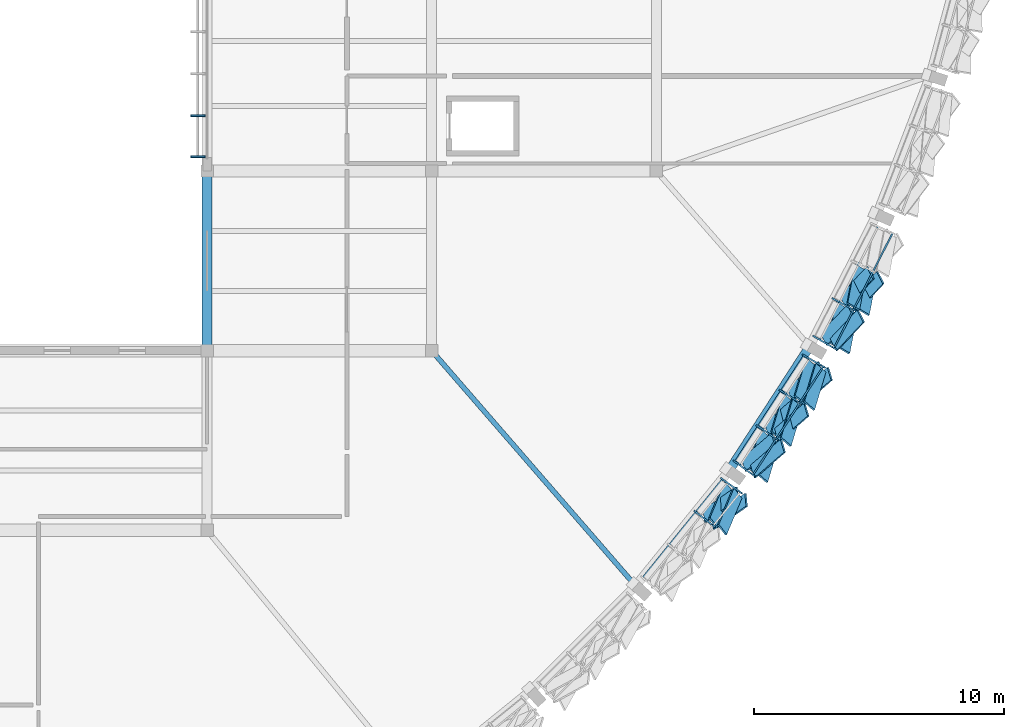
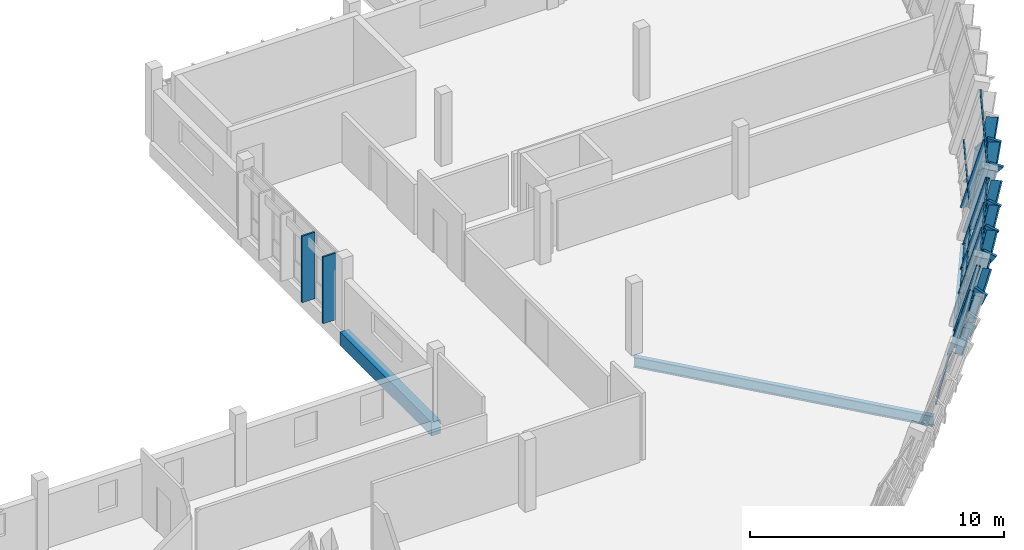
# One storey, part 10 of 24: 40 members, 3 beams, 4 elements without a shape of their own.
"""IFC4 building model written with IfcOpenShell, lengths in metres."""

from ifc_helpers import new_model, si_unit, direction, frame, origin, origin_2d, place, context, subcontext, project, spatial, rectangle, hollow_rectangle, i_section, extrude, material, material_profile, profile_set, type_object, element, aggregate, save


model = new_model("IFC4")

# Units and contexts
model_context = context("Model", 3, precision=1e-05, world=origin(), true_north=direction((0.0, 1.0)))
body_context = subcontext(model_context, "Body", "Model", "MODEL_VIEW")
ifc_project = project(units=[si_unit("LENGTHUNIT", "METRE"), si_unit("AREAUNIT", "SQUARE_METRE"), si_unit("VOLUMEUNIT", "CUBIC_METRE"), si_unit("PLANEANGLEUNIT", "RADIAN"), si_unit("MASSUNIT", "GRAM", prefix="KILO")], contexts=[model_context])

# Site, building, storey
site_placement = place(None, origin())
site = spatial("IfcSite", under=ifc_project, at=site_placement, CompositionType="ELEMENT")
building_placement = place(site_placement, origin())
building = spatial("IfcBuilding", under=site, at=building_placement, Name="Chiffa Square Polytechnic", CompositionType="ELEMENT")
storey_placement = place(building_placement, frame((0.0, 0.0, 26.39990234375)))
storey = spatial("IfcBuildingStorey", under=building, at=storey_placement, Name="L06", CompositionType="ELEMENT", Elevation=26.39990234375)

# Beams
ifc_material_1 = material(Name="Concrete C35/45", Category="concrete")
ifc_material_profile_1 = material_profile(ifc_material_1, rectangle(XDim=0.39990234375, YDim=0.64990234375, at=origin_2d()), Name="RC 400x650")
ifc_profile_set_1 = profile_set([ifc_material_profile_1], Name="Concrete C35/45")
beam_type_1 = type_object("IfcBeamType", Name="BM-RC-400X650", PredefinedType="BEAM", material=ifc_profile_set_1)
beam_1_placement = place(storey_placement, frame((148.199951171875, 28.800048828125, -0.544921875), z_axis=(0.0, 1.0, 0.0), x_axis=(-1.0, 0.0, 0.0)))
element("IfcBeam", 1, at=beam_1_placement, inside=storey, type_object=beam_type_1, Name="Primary floor girder BM-V1-L06-Y-1482-0288", PredefinedType="BEAM", context=body_context, shape_type="SweptSolid", body=[
    extrude(rectangle(XDim=0.39990234375, YDim=0.64990234375, at=origin_2d()), origin(), (0.0, 0.0, 1.0), 7.199951171875),
])
ifc_material_2 = material(Name="Steel S355", Category="steel")
ifc_material_profile_2 = material_profile(ifc_material_2, i_section(OverallWidth=0.199951171875, OverallDepth=0.5, WebThickness=0.01025390625, FlangeThickness=0.01611328125, FilletRadius=0.02099609375, at=origin_2d()), Name="IPE 500")
ifc_profile_set_2 = profile_set([ifc_material_profile_2], Name="Steel S355")
beam_type_2 = type_object("IfcBeamType", Name="BM-STL-IPE500", PredefinedType="BEAM", material=ifc_profile_set_2)
beam_2_placement = place(storey_placement, frame((165.3759765625, 19.3740234375, -0.469970703125), z_axis=(-0.655241848523, 0.755419168372, 0.0), x_axis=(-0.755419168372, -0.655241848523, 0.0)))
element("IfcBeam", 2, at=beam_2_placement, inside=storey, type_object=beam_type_2, Name="Prow radial tie girder BM-V1-RAD-L06-11", PredefinedType="BEAM", context=body_context, shape_type="SweptSolid", body=[
    extrude(i_section(OverallWidth=0.199951171875, OverallDepth=0.5, WebThickness=0.01025390625, FlangeThickness=0.01611328125, FilletRadius=0.02099609375, at=origin_2d()), origin(), (0.0, 0.0, 1.0), 12.477783203125),
])

# Curtain wall, members
ifc_material_3 = material(Name="Aluminium EN AW-6060 T66 and glulam shading", Category="wood")
curtain_wall_type_1 = type_object("IfcCurtainWallType", Name="CW-PROW-LEAN-150", PredefinedType="USERDEFINED", material=ifc_material_3)
curtain_wall_1_placement = place(storey_placement, origin())
curtain_wall_1 = element("IfcCurtainWall", 3, at=curtain_wall_1_placement, inside=storey, type_object=curtain_wall_type_1, Name="Outward-leaning diamond-fin prow curtain wall CW-V1-L06-105", ObjectType="CURTAIN WALL", PredefinedType="USERDEFINED")
ifc_material_4 = material(Name="Aluminium EN AW-6060 T66", Category="aluminium")
ifc_material_profile_3 = material_profile(ifc_material_4, hollow_rectangle(XDim=0.06494140625, YDim=0.179931640625, WallThickness=0.00390625, at=origin_2d()), Name="ALU 65x180x4")
ifc_profile_set_3 = profile_set([ifc_material_profile_3], Name="Aluminium EN AW-6060 T66")
member_type_1 = type_object("IfcMemberType", Name="CWM-ALU-75X180", PredefinedType="MULLION", material=ifc_profile_set_3)
member_1_placement = place(storey_placement, frame((167.7783203125, 22.3408203125, 0.0), z_axis=(0.214320148408, -0.167554074429, 0.962285044116), x_axis=(0.615909842204, 0.787816645087, 0.0)))
member_1 = element("IfcMember", 4, at=member_1_placement, type_object=member_type_1, Name="Leaning prow mullion CW-V1-L06-105-M02", PredefinedType="MULLION", context=body_context, shape_type="SweptSolid", body=[
    extrude(hollow_rectangle(XDim=0.06494140625, YDim=0.179931640625, WallThickness=0.00390625, at=origin_2d()), origin(), (0.0, 0.0, 1.0), 3.341064453125),
])
member_2_placement = place(storey_placement, frame((168.843994140625, 23.656982421875, 0.0), z_axis=(0.220294191964, -0.160087752767, 0.962207036142), x_axis=(0.587868537894, 0.808956477293, 0.0)))
member_2 = element("IfcMember", 5, at=member_2_placement, type_object=member_type_1, Name="Leaning prow mullion CW-V1-L06-105-M03", PredefinedType="MULLION", context=body_context, shape_type="SweptSolid", body=[
    extrude(hollow_rectangle(XDim=0.06494140625, YDim=0.179931640625, WallThickness=0.00390625, at=origin_2d()), origin(), (0.0, 0.0, 1.0), 3.34130859375),
])

curtain_wall_type_2 = type_object("IfcCurtainWallType", Name="CW-PROW-LEAN-300", PredefinedType="USERDEFINED", material=ifc_material_3)
curtain_wall_2_placement = place(storey_placement, origin())
curtain_wall_2 = element("IfcCurtainWall", 6, at=curtain_wall_2_placement, inside=storey, type_object=curtain_wall_type_2, Name="Outward-leaning diamond-fin prow curtain wall CW-V1-L06-106", ObjectType="CURTAIN WALL", PredefinedType="USERDEFINED")
member_3_placement = place(storey_placement, frame((169.34912109375, 24.35205078125, 0.0), z_axis=(0.220222093491, -0.160161522539, 0.962211263828), x_axis=(0.588171697675, 0.808736084303, 0.0)))
member_3 = element("IfcMember", 7, at=member_3_placement, type_object=member_type_1, Name="Leaning prow mullion CW-V1-L06-106-M00", PredefinedType="MULLION", context=body_context, shape_type="SweptSolid", body=[
    extrude(hollow_rectangle(XDim=0.06494140625, YDim=0.179931640625, WallThickness=0.00390625, at=origin_2d()), origin(), (0.0, 0.0, 1.0), 3.34130859375),
])
member_4_placement = place(storey_placement, frame((170.271240234375, 25.77197265625, 0.0), z_axis=(0.225501498285, -0.152136785298, 0.962290742359), x_axis=(0.559279069224, 0.828979446505, 0.0)))
member_4 = element("IfcMember", 8, at=member_4_placement, type_object=member_type_1, Name="Leaning prow mullion CW-V1-L06-106-M01", PredefinedType="MULLION", context=body_context, shape_type="SweptSolid", body=[
    extrude(hollow_rectangle(XDim=0.06494140625, YDim=0.179931640625, WallThickness=0.00390625, at=origin_2d()), origin(), (0.0, 0.0, 1.0), 3.341064453125),
])
member_5_placement = place(storey_placement, frame((171.193603515625, 27.19189453125, 0.0), z_axis=(0.23068886555, -0.144171406947, 0.96228751043), x_axis=(0.529974794738, 0.848013394318, 0.0)))
member_5 = element("IfcMember", 9, at=member_5_placement, type_object=member_type_1, Name="Leaning prow mullion CW-V1-L06-106-M02", PredefinedType="MULLION", context=body_context, shape_type="SweptSolid", body=[
    extrude(hollow_rectangle(XDim=0.06494140625, YDim=0.179931640625, WallThickness=0.00390625, at=origin_2d()), origin(), (0.0, 0.0, 1.0), 3.341064453125),
])
member_6_placement = place(storey_placement, frame((172.115966796875, 28.612060546875, 0.0), z_axis=(0.235854888234, -0.136193776849, 0.962197342983), x_axis=(0.500063042646, 0.865989003036, 0.0)))
member_6 = element("IfcMember", 10, at=member_6_placement, type_object=member_type_1, Name="Leaning prow mullion CW-V1-L06-106-M03", PredefinedType="MULLION", context=body_context, shape_type="SweptSolid", body=[
    extrude(hollow_rectangle(XDim=0.06494140625, YDim=0.179931640625, WallThickness=0.00390625, at=origin_2d()), origin(), (0.0, 0.0, 1.0), 3.34130859375),
])

curtain_wall_3_placement = place(storey_placement, origin())
curtain_wall_3 = element("IfcCurtainWall", 11, at=curtain_wall_3_placement, inside=storey, type_object=curtain_wall_type_1, Name="Outward-leaning diamond-fin prow curtain wall CW-V1-L06-107", ObjectType="CURTAIN WALL", PredefinedType="USERDEFINED")
member_7_placement = place(storey_placement, frame((172.544921875, 29.35595703125, 0.0), z_axis=(0.235854888234, -0.136193776849, 0.962197342983), x_axis=(0.500063042646, 0.865989003036, 0.0)))
member_7 = element("IfcMember", 12, at=member_7_placement, type_object=member_type_1, Name="Leaning prow mullion CW-V1-L06-107-M00", PredefinedType="MULLION", context=body_context, shape_type="SweptSolid", body=[
    extrude(hollow_rectangle(XDim=0.06494140625, YDim=0.179931640625, WallThickness=0.00390625, at=origin_2d()), origin(), (0.0, 0.0, 1.0), 3.34130859375),
])
member_8_placement = place(storey_placement, frame((173.31396484375, 30.864990234375, 0.0), z_axis=(0.240119072909, -0.127732239636, 0.962303125726), x_axis=(0.469639707299, 0.882858168297, 0.0)))
member_8 = element("IfcMember", 13, at=member_8_placement, type_object=member_type_1, Name="Leaning prow mullion CW-V1-L06-107-M01", PredefinedType="MULLION", context=body_context, shape_type="SweptSolid", body=[
    extrude(hollow_rectangle(XDim=0.06494140625, YDim=0.179931640625, WallThickness=0.00390625, at=origin_2d()), origin(), (0.0, 0.0, 1.0), 3.341064453125),
])

# Member
ifc_material_5 = material(Name="Glulam GL28h", Category="wood")
ifc_material_profile_4 = material_profile(ifc_material_5, rectangle(XDim=0.080078125, YDim=0.580078125, at=origin_2d()), Name="GL28h 80x580")
ifc_profile_set_4 = profile_set([ifc_material_profile_4], Name="Glulam GL28h")
member_type_2 = type_object("IfcMemberType", Name="CWM-GL-80X580", PredefinedType="MULLION", material=ifc_profile_set_4)
member_9_placement = place(storey_placement, frame((168.136962890625, 22.169921875, 0.0400390625), z_axis=(0.584802373598, 0.407198963163, 0.701566239376), x_axis=(-0.807045699281, 0.204903769801, 0.553797512087)))
member_9 = element("IfcMember", 14, at=member_9_placement, type_object=member_type_2, Name="Diamond glulam fin CW-V1-L06-105-DF05A", PredefinedType="MULLION", context=body_context, shape_type="SweptSolid", body=[
    extrude(rectangle(XDim=0.080078125, YDim=0.580078125, at=origin_2d()), origin(), (0.0, 0.0, 1.0), 2.235107421875),
])

member_10_placement = place(storey_placement, frame((169.0859375, 23.342041015625, 0.0400390625), z_axis=(-0.270461141803, -0.652171893095, 0.708182598368), x_axis=(0.792143303808, 0.267302529444, 0.548687838378)))
member_10 = element("IfcMember", 15, at=member_10_placement, type_object=member_type_2, Name="Diamond glulam fin CW-V1-L06-105-DF05B", PredefinedType="MULLION", context=body_context, shape_type="SweptSolid", body=[
    extrude(rectangle(XDim=0.080078125, YDim=0.580078125, at=origin_2d()), origin(), (0.0, 0.0, 1.0), 2.21435546875),
])

member_11_placement = place(storey_placement, frame((168.487060546875, 21.89794921875, 1.608154296875), z_axis=(0.58642981997, 0.410500873979, 0.698275804187), x_axis=(-0.80545776048, 0.204363003011, 0.556303477505)))
member_11 = element("IfcMember", 16, at=member_11_placement, type_object=member_type_2, Name="Diamond glulam fin CW-V1-L06-105-DF06A", PredefinedType="MULLION", context=body_context, shape_type="SweptSolid", body=[
    extrude(rectangle(XDim=0.080078125, YDim=0.580078125, at=origin_2d()), origin(), (0.0, 0.0, 1.0), 2.243896484375),
])

member_12_placement = place(storey_placement, frame((169.444091796875, 23.080078125, 1.608154296875), z_axis=(-0.273231003445, -0.654348153003, 0.705105178975), x_axis=(0.791869646318, 0.263167905814, 0.551076325557)))
member_12 = element("IfcMember", 17, at=member_12_placement, type_object=member_type_2, Name="Diamond glulam fin CW-V1-L06-105-DF06B", PredefinedType="MULLION", context=body_context, shape_type="SweptSolid", body=[
    extrude(rectangle(XDim=0.080078125, YDim=0.580078125, at=origin_2d()), origin(), (0.0, 0.0, 1.0), 2.22216796875),
])

member_13_placement = place(storey_placement, frame((169.722900390625, 24.218994140625, 0.0400390625), z_axis=(0.536525799881, 0.458902667305, 0.708200824627), x_axis=(-0.8053759244, 0.027830931818, 0.592110681909)))
member_13 = element("IfcMember", 18, at=member_13_placement, type_object=member_type_2, Name="Diamond glulam fin CW-V1-L06-106-DF01A", PredefinedType="MULLION", context=body_context, shape_type="SweptSolid", body=[
    extrude(rectangle(XDim=0.080078125, YDim=0.580078125, at=origin_2d()), origin(), (0.0, 0.0, 1.0), 2.214111328125),
])

member_14_placement = place(storey_placement, frame((170.5439453125, 25.48291015625, 0.0400390625), z_axis=(-0.206265470782, -0.681943362618, 0.70171775362), x_axis=(0.691695952849, 0.405625984267, 0.597515079056)))
member_14 = element("IfcMember", 19, at=member_14_placement, type_object=member_type_2, Name="Diamond glulam fin CW-V1-L06-106-DF01B", PredefinedType="MULLION", context=body_context, shape_type="SweptSolid", body=[
    extrude(rectangle(XDim=0.080078125, YDim=0.580078125, at=origin_2d()), origin(), (0.0, 0.0, 1.0), 2.234619140625),
])

member_15_placement = place(storey_placement, frame((170.0830078125, 23.958984375, 1.608154296875), z_axis=(0.537780279383, 0.462194409676, 0.705101906656), x_axis=(-0.803468785438, 0.027609825497, 0.594706321105)))
member_15 = element("IfcMember", 20, at=member_15_placement, type_object=member_type_2, Name="Diamond glulam fin CW-V1-L06-106-DF02A", PredefinedType="MULLION", context=body_context, shape_type="SweptSolid", body=[
    extrude(rectangle(XDim=0.080078125, YDim=0.580078125, at=origin_2d()), origin(), (0.0, 0.0, 1.0), 2.22216796875),
])

member_16_placement = place(storey_placement, frame((170.910888671875, 25.235107421875, 1.608154296875), z_axis=(-0.209014073369, -0.684599973782, 0.69830938203), x_axis=(0.691913946156, 0.40109160988, 0.600317092542)))
member_16 = element("IfcMember", 21, at=member_16_placement, type_object=member_type_2, Name="Diamond glulam fin CW-V1-L06-106-DF02B", PredefinedType="MULLION", context=body_context, shape_type="SweptSolid", body=[
    extrude(rectangle(XDim=0.080078125, YDim=0.580078125, at=origin_2d()), origin(), (0.0, 0.0, 1.0), 2.243896484375),
])

member_17_placement = place(storey_placement, frame((170.64599609375, 25.639892578125, 0.0400390625), z_axis=(0.537775117111, 0.462251687723, 0.705068295), x_axis=(-0.803449228787, 0.027575170659, 0.59473434971)))
member_17 = element("IfcMember", 22, at=member_17_placement, type_object=member_type_2, Name="Diamond glulam fin CW-V1-L06-106-DF03A", PredefinedType="MULLION", context=body_context, shape_type="SweptSolid", body=[
    extrude(rectangle(XDim=0.080078125, YDim=0.580078125, at=origin_2d()), origin(), (0.0, 0.0, 1.0), 2.22412109375),
])

member_18_placement = place(storey_placement, frame((171.467041015625, 26.904052734375, 0.0400390625), z_axis=(-0.203657559197, -0.679553482816, 0.704791219139), x_axis=(0.691402028626, 0.409853053747, 0.594965300792)))
member_18 = element("IfcMember", 23, at=member_18_placement, type_object=member_type_2, Name="Diamond glulam fin CW-V1-L06-106-DF03B", PredefinedType="MULLION", context=body_context, shape_type="SweptSolid", body=[
    extrude(rectangle(XDim=0.080078125, YDim=0.580078125, at=origin_2d()), origin(), (0.0, 0.0, 1.0), 2.224853515625),
])

member_19_placement = place(storey_placement, frame((171.013916015625, 25.39208984375, 1.608154296875), z_axis=(0.539098356661, 0.466081790917, 0.70152742357), x_axis=(-0.801278488416, 0.027215048879, 0.597672255602)))
member_19 = element("IfcMember", 24, at=member_19_placement, type_object=member_type_2, Name="Diamond glulam fin CW-V1-L06-106-DF04A", PredefinedType="MULLION", context=body_context, shape_type="SweptSolid", body=[
    extrude(rectangle(XDim=0.080078125, YDim=0.580078125, at=origin_2d()), origin(), (0.0, 0.0, 1.0), 2.233642578125),
])

member_20_placement = place(storey_placement, frame((171.842041015625, 26.66796875, 1.608154296875), z_axis=(-0.206406098321, -0.681970996464, 0.701649543973), x_axis=(0.691751444171, 0.40544832116, 0.597571416951)))
member_20 = element("IfcMember", 25, at=member_20_placement, type_object=member_type_2, Name="Diamond glulam fin CW-V1-L06-106-DF04B", PredefinedType="MULLION", context=body_context, shape_type="SweptSolid", body=[
    extrude(rectangle(XDim=0.080078125, YDim=0.580078125, at=origin_2d()), origin(), (0.0, 0.0, 1.0), 2.233154296875),
])

member_21_placement = place(storey_placement, frame((171.568115234375, 27.06005859375, 0.0400390625), z_axis=(0.539124240054, 0.465820822612, 0.701680849822), x_axis=(-0.801367629243, 0.027371977245, 0.597545561161)))
member_21 = element("IfcMember", 26, at=member_21_placement, type_object=member_type_2, Name="Diamond glulam fin CW-V1-L06-106-DF05A", PredefinedType="MULLION", context=body_context, shape_type="SweptSolid", body=[
    extrude(rectangle(XDim=0.080078125, YDim=0.580078125, at=origin_2d()), origin(), (0.0, 0.0, 1.0), 2.23486328125),
])

member_22_placement = place(storey_placement, frame((172.389892578125, 28.323974609375, 0.0400390625), z_axis=(-0.200930628966, -0.676679659351, 0.708330093222), x_axis=(0.691206989612, 0.414447383557, 0.592001911969)))
member_22 = element("IfcMember", 27, at=member_22_placement, type_object=member_type_2, Name="Diamond glulam fin CW-V1-L06-106-DF05B", PredefinedType="MULLION", context=body_context, shape_type="SweptSolid", body=[
    extrude(rectangle(XDim=0.080078125, YDim=0.580078125, at=origin_2d()), origin(), (0.0, 0.0, 1.0), 2.2138671875),
])

member_23_placement = place(storey_placement, frame((171.945068359375, 26.825927734375, 1.608154296875), z_axis=(0.540223060584, 0.469375918674, 0.698459227), x_axis=(-0.799400429051, 0.026936156853, 0.600194466392)))
member_23 = element("IfcMember", 28, at=member_23_placement, type_object=member_type_2, Name="Diamond glulam fin CW-V1-L06-106-DF06A", PredefinedType="MULLION", context=body_context, shape_type="SweptSolid", body=[
    extrude(rectangle(XDim=0.080078125, YDim=0.580078125, at=origin_2d()), origin(), (0.0, 0.0, 1.0), 2.243408203125),
])

member_24_placement = place(storey_placement, frame((172.77294921875, 28.10107421875, 1.608154296875), z_axis=(-0.203392242737, -0.679182848383, 0.705224966983), x_axis=(0.69142096126, 0.410345609527, 0.594603678993)))
member_24 = element("IfcMember", 29, at=member_24_placement, type_object=member_type_2, Name="Diamond glulam fin CW-V1-L06-106-DF06B", PredefinedType="MULLION", context=body_context, shape_type="SweptSolid", body=[
    extrude(rectangle(XDim=0.080078125, YDim=0.580078125, at=origin_2d()), origin(), (0.0, 0.0, 1.0), 2.221923828125),
])

member_25_placement = place(storey_placement, frame((172.930908203125, 29.262939453125, 0.0400390625), z_axis=(0.485898298173, 0.512463971916, 0.708013786109), x_axis=(-0.763496600875, -0.145415286306, 0.62922757009)))
member_25 = element("IfcMember", 30, at=member_25_placement, type_object=member_type_2, Name="Diamond glulam fin CW-V1-L06-107-DF01A", PredefinedType="MULLION", context=body_context, shape_type="SweptSolid", body=[
    extrude(rectangle(XDim=0.080078125, YDim=0.580078125, at=origin_2d()), origin(), (0.0, 0.0, 1.0), 2.21484375),
])

member_26_placement = place(storey_placement, frame((173.615966796875, 30.60595703125, 0.0400390625), z_axis=(-0.134253048894, -0.699776266247, 0.70163330598), x_axis=(0.563648919098, 0.52842417803, 0.634876195863)))
member_26 = element("IfcMember", 31, at=member_26_placement, type_object=member_type_2, Name="Diamond glulam fin CW-V1-L06-107-DF01B", PredefinedType="MULLION", context=body_context, shape_type="SweptSolid", body=[
    extrude(rectangle(XDim=0.080078125, YDim=0.580078125, at=origin_2d()), origin(), (0.0, 0.0, 1.0), 2.23486328125),
])

member_27_placement = place(storey_placement, frame((173.31591796875, 29.0419921875, 1.608154296875), z_axis=(0.486419827802, 0.516079573399, 0.705023137947), x_axis=(-0.761233058618, -0.145746312512, 0.631887840409)))
member_27 = element("IfcMember", 32, at=member_27_placement, type_object=member_type_2, Name="Diamond glulam fin CW-V1-L06-107-DF02A", PredefinedType="MULLION", context=body_context, shape_type="SweptSolid", body=[
    extrude(rectangle(XDim=0.080078125, YDim=0.580078125, at=origin_2d()), origin(), (0.0, 0.0, 1.0), 2.222412109375),
])

member_28_placement = place(storey_placement, frame((174.007080078125, 30.39794921875, 1.608154296875), z_axis=(-0.136858862359, -0.702679961826, 0.698219537854), x_axis=(0.564550372019, 0.523852327205, 0.637857050392)))
member_28 = element("IfcMember", 33, at=member_28_placement, type_object=member_type_2, Name="Diamond glulam fin CW-V1-L06-107-DF02B", PredefinedType="MULLION", context=body_context, shape_type="SweptSolid", body=[
    extrude(rectangle(XDim=0.080078125, YDim=0.580078125, at=origin_2d()), origin(), (0.0, 0.0, 1.0), 2.244140625),
])

member_29_placement = place(storey_placement, frame((173.699951171875, 30.77197265625, 0.0400390625), z_axis=(0.486681348066, 0.516303522092, 0.704678606544), x_axis=(-0.761030032995, -0.145483549159, 0.632192870732)))
member_29 = element("IfcMember", 34, at=member_29_placement, type_object=member_type_2, Name="Diamond glulam fin CW-V1-L06-107-DF03A", PredefinedType="MULLION", context=body_context, shape_type="SweptSolid", body=[
    extrude(rectangle(XDim=0.080078125, YDim=0.580078125, at=origin_2d()), origin(), (0.0, 0.0, 1.0), 2.225341796875),
])

member_30_placement = place(storey_placement, frame((174.385009765625, 32.115966796875, 0.0400390625), z_axis=(-0.131673065989, -0.697099156855, 0.704780085704), x_axis=(0.562655415819, 0.532789459591, 0.632103057102)))
member_30 = element("IfcMember", 35, at=member_30_placement, type_object=member_type_2, Name="Diamond glulam fin CW-V1-L06-107-DF03B", PredefinedType="MULLION", context=body_context, shape_type="SweptSolid", body=[
    extrude(rectangle(XDim=0.080078125, YDim=0.580078125, at=origin_2d()), origin(), (0.0, 0.0, 1.0), 2.224853515625),
])

member_31_placement = place(storey_placement, frame((174.092041015625, 30.56494140625, 1.608154296875), z_axis=(0.487491788054, 0.519845503136, 0.701507241195), x_axis=(-0.75871901402, -0.145386535535, 0.634986781791)))
member_31 = element("IfcMember", 36, at=member_31_placement, type_object=member_type_2, Name="Diamond glulam fin CW-V1-L06-107-DF04A", PredefinedType="MULLION", context=body_context, shape_type="SweptSolid", body=[
    extrude(rectangle(XDim=0.080078125, YDim=0.580078125, at=origin_2d()), origin(), (0.0, 0.0, 1.0), 2.233642578125),
])

member_32_placement = place(storey_placement, frame((174.782958984375, 31.9208984375, 1.608154296875), z_axis=(-0.133916213154, -0.699862527846, 0.701611637569), x_axis=(0.563387852063, 0.528679680814, 0.634895206505)))
member_32 = element("IfcMember", 37, at=member_32_placement, type_object=member_type_2, Name="Diamond glulam fin CW-V1-L06-107-DF04B", PredefinedType="MULLION", context=body_context, shape_type="SweptSolid", body=[
    extrude(rectangle(XDim=0.080078125, YDim=0.580078125, at=origin_2d()), origin(), (0.0, 0.0, 1.0), 2.2333984375),
])

# Curtain wall, members
curtain_wall_type_3 = type_object("IfcCurtainWallType", Name="CW-VERT-450X440", PredefinedType="USERDEFINED", material=ifc_material_3)
curtain_wall_4_placement = place(storey_placement, origin())
curtain_wall_4 = element("IfcCurtainWall", 38, at=curtain_wall_4_placement, inside=storey, type_object=curtain_wall_type_3, Name="Curtain wall CW-V1-L06-144", ObjectType="CURTAIN WALL", PredefinedType="USERDEFINED")
member_33_placement = place(storey_placement, frame((147.827880859375, 38.219970703125, 0.010009765625), z_axis=(0.0, 0.0, 1.0), x_axis=(0.0, -1.0, 0.0)))
member_33 = element("IfcMember", 39, at=member_33_placement, type_object=member_type_2, Name="Exterior glulam solar fin CW-V1-L06-144-FN03", PredefinedType="MULLION", context=body_context, shape_type="SweptSolid", body=[
    extrude(rectangle(XDim=0.080078125, YDim=0.580078125, at=origin_2d()), origin(), (0.0, 0.0, 1.0), 3.2001953125),
])
member_34_placement = place(storey_placement, frame((147.827880859375, 36.56494140625, 0.010009765625), z_axis=(0.0, 0.0, 1.0), x_axis=(0.0, -1.0, 0.0)))
member_34 = element("IfcMember", 40, at=member_34_placement, type_object=member_type_2, Name="Exterior glulam solar fin CW-V1-L06-144-FN04", PredefinedType="MULLION", context=body_context, shape_type="SweptSolid", body=[
    extrude(rectangle(XDim=0.080078125, YDim=0.580078125, at=origin_2d()), origin(), (0.0, 0.0, 1.0), 3.2001953125),
])
aggregate(curtain_wall_4, [member_33, member_34])

# Member
ifc_material_profile_5 = material_profile(ifc_material_4, hollow_rectangle(XDim=0.06494140625, YDim=0.139892578125, WallThickness=0.00390625, at=origin_2d()), Name="ALU 65x140x4")
ifc_profile_set_5 = profile_set([ifc_material_profile_5], Name="Aluminium EN AW-6060 T66")
member_type_3 = type_object("IfcMemberType", Name="CWT-ALU-75X140", PredefinedType="USERDEFINED", material=ifc_profile_set_5)
member_35_placement = place(storey_placement, frame((165.655517578125, 19.700439453125, 0.0400390625), z_axis=(0.629218957738, 0.777228089574, 0.0), x_axis=(-0.777228089574, 0.629218957738, 0.0)))
member_35 = element("IfcMember", 41, at=member_35_placement, type_object=member_type_3, Name="Leaning prow transom CW-V1-L06-105-T01", ObjectType="TRANSOM", PredefinedType="USERDEFINED", context=body_context, shape_type="SweptSolid", body=[
    extrude(hollow_rectangle(XDim=0.06494140625, YDim=0.139892578125, WallThickness=0.00390625, at=origin_2d()), origin(), (0.0, 0.0, 1.0), 5.08203125),
])

aggregate(curtain_wall_1, [member_1, member_2, member_35, member_9, member_10, member_11, member_12])

member_36_placement = place(storey_placement, frame((169.358154296875, 24.34521484375, 0.0400390625), z_axis=(0.544702885955, 0.838629099204, 0.0), x_axis=(-0.838629099204, 0.544702885955, 0.0)))
member_36 = element("IfcMember", 42, at=member_36_placement, type_object=member_type_3, Name="Leaning prow transom CW-V1-L06-106-T01", ObjectType="TRANSOM", PredefinedType="USERDEFINED", context=body_context, shape_type="SweptSolid", body=[
    extrude(hollow_rectangle(XDim=0.06494140625, YDim=0.139892578125, WallThickness=0.00390625, at=origin_2d()), origin(), (0.0, 0.0, 1.0), 5.080810546875),
])

member_37_placement = place(storey_placement, frame((169.543701171875, 24.210693359375, 0.85009765625), z_axis=(0.544694130453, 0.838634785977, 0.0), x_axis=(-0.838634785977, 0.544694130453, 0.0)))
member_37 = element("IfcMember", 43, at=member_37_placement, type_object=member_type_3, Name="Leaning prow transom CW-V1-L06-106-T02", ObjectType="TRANSOM", PredefinedType="USERDEFINED", context=body_context, shape_type="SweptSolid", body=[
    extrude(hollow_rectangle(XDim=0.06494140625, YDim=0.139892578125, WallThickness=0.00390625, at=origin_2d()), origin(), (0.0, 0.0, 1.0), 5.104736328125),
])

member_38_placement = place(storey_placement, frame((170.07568359375, 23.82373046875, 3.175048828125), z_axis=(0.544762766702, 0.838590202671, 0.0), x_axis=(-0.838590202671, 0.544762766702, 0.0)))
member_38 = element("IfcMember", 44, at=member_38_placement, type_object=member_type_3, Name="Leaning prow transom CW-V1-L06-106-T03", ObjectType="TRANSOM", PredefinedType="USERDEFINED", context=body_context, shape_type="SweptSolid", body=[
    extrude(hollow_rectangle(XDim=0.06494140625, YDim=0.139892578125, WallThickness=0.00390625, at=origin_2d()), origin(), (0.0, 0.0, 1.0), 5.174072265625),
])

aggregate(curtain_wall_2, [member_3, member_4, member_5, member_6, member_36, member_37, member_38, member_13, member_14, member_15, member_16, member_17, member_18, member_19, member_20, member_21, member_22, member_23, member_24])

member_39_placement = place(storey_placement, frame((172.75341796875, 29.235595703125, 0.85009765625), z_axis=(0.454028201116, 0.890987313373, 0.0), x_axis=(-0.890987313373, 0.454028201116, 0.0)))
member_39 = element("IfcMember", 45, at=member_39_placement, type_object=member_type_3, Name="Leaning prow transom CW-V1-L06-107-T02", ObjectType="TRANSOM", PredefinedType="USERDEFINED", context=body_context, shape_type="SweptSolid", body=[
    extrude(hollow_rectangle(XDim=0.06494140625, YDim=0.139892578125, WallThickness=0.00390625, at=origin_2d()), origin(), (0.0, 0.0, 1.0), 5.106201171875),
])

member_40_placement = place(storey_placement, frame((173.3232421875, 28.90673828125, 3.175048828125), z_axis=(0.45399433359, 0.891004570734, 0.0), x_axis=(-0.891004570734, 0.45399433359, 0.0)))
member_40 = element("IfcMember", 46, at=member_40_placement, type_object=member_type_3, Name="Leaning prow transom CW-V1-L06-107-T03", ObjectType="TRANSOM", PredefinedType="USERDEFINED", context=body_context, shape_type="SweptSolid", body=[
    extrude(hollow_rectangle(XDim=0.06494140625, YDim=0.139892578125, WallThickness=0.00390625, at=origin_2d()), origin(), (0.0, 0.0, 1.0), 5.1748046875),
])

aggregate(curtain_wall_3, [member_7, member_8, member_39, member_40, member_25, member_26, member_27, member_28, member_29, member_30, member_31, member_32])

# Beam
ifc_material_6 = material(Name="Glulam GL32c", Category="wood")
ifc_material_profile_6 = material_profile(ifc_material_6, rectangle(XDim=0.360107421875, YDim=0.89990234375, at=origin_2d()), Name="GL32c 360x900")
ifc_profile_set_6 = profile_set([ifc_material_profile_6], Name="Glulam GL32c")
beam_type_3 = type_object("IfcBeamType", Name="RB-GL-360X900", PredefinedType="SPANDREL", material=ifc_profile_set_6)
beam_3_placement = place(storey_placement, frame((169.114990234375, 23.990966796875, -0.669921875), z_axis=(0.544615580056, 0.838685799308, 0.0), x_axis=(-0.838685799308, 0.544615580056, 0.0)))
element("IfcBeam", 47, at=beam_3_placement, inside=storey, type_object=beam_type_3, Name="Prow perimeter edge beam RB-V1-PROW-L06-12", PredefinedType="SPANDREL", context=body_context, shape_type="SweptSolid", body=[
    extrude(rectangle(XDim=0.360107421875, YDim=0.89990234375, at=origin_2d()), origin(), (0.0, 0.0, 1.0), 5.940185546875),
])

save(model, "model.ifc")
